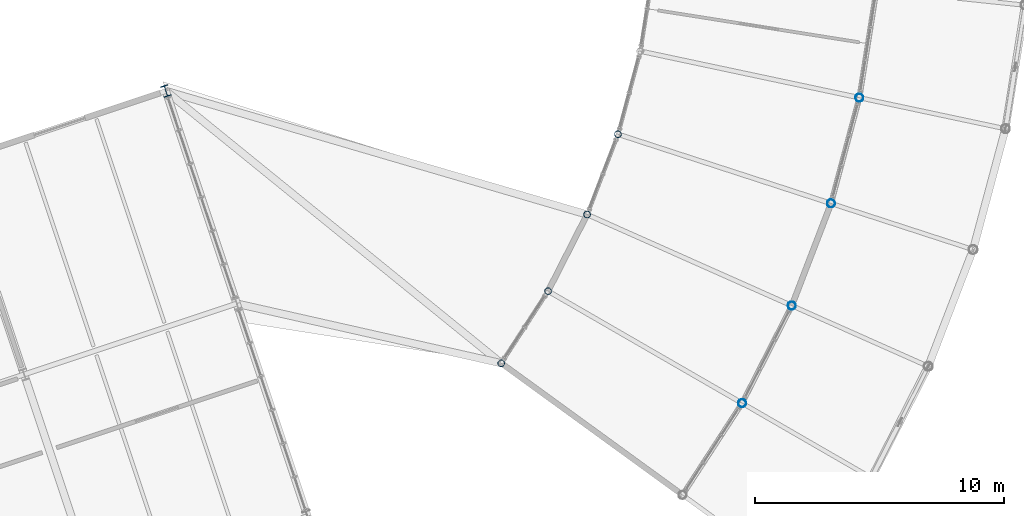
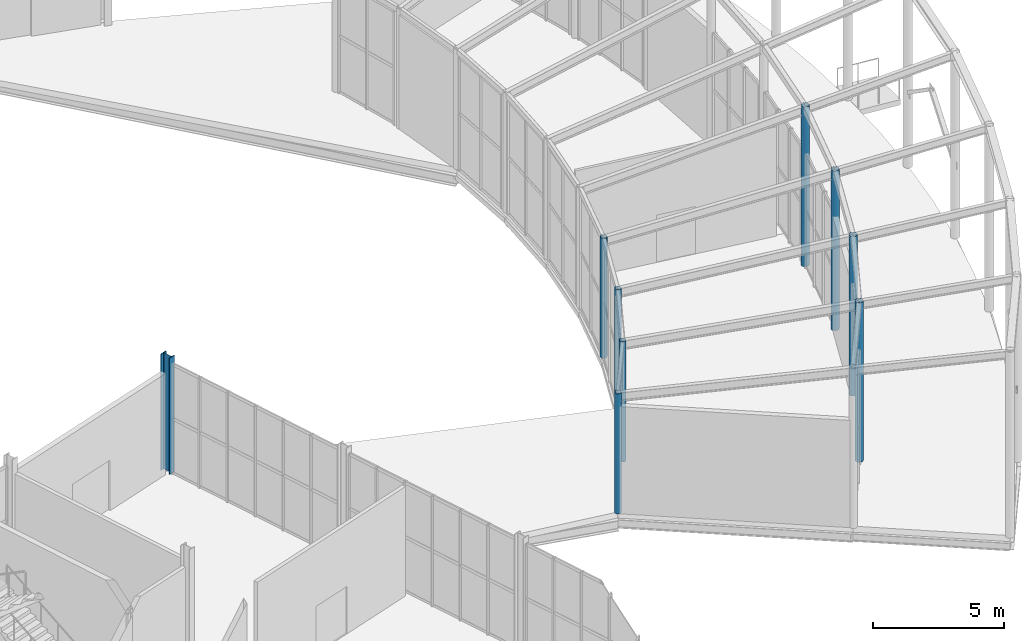
# One storey, part 24 of 158: 9 columns.
"""IFC4 building model written with IfcOpenShell, lengths in metres."""

from ifc_helpers import new_model, si_unit, derived_unit, direction, frame, origin, origin_2d, place, context, subcontext, project, spatial, hollow_circle, i_section, extrude, material, material_profile, profile_set, type_object, element, save


model = new_model("IFC4")

# Units and contexts
model_context = context("Model", 3, precision=1e-05, world=origin(), true_north=direction((0.0, 1.0)))
body_context = subcontext(model_context, "Body", "Model", "MODEL_VIEW")
ifc_project = project(units=[si_unit("LENGTHUNIT", "METRE"), si_unit("AREAUNIT", "SQUARE_METRE"), si_unit("VOLUMEUNIT", "CUBIC_METRE"), si_unit("PLANEANGLEUNIT", "RADIAN"), si_unit("MASSUNIT", "GRAM", prefix="KILO"), si_unit("THERMODYNAMICTEMPERATUREUNIT", "KELVIN"), si_unit("TIMEUNIT", "SECOND"), derived_unit("THERMALTRANSMITTANCEUNIT", [(si_unit("MASSUNIT", "GRAM", prefix="KILO"), 1), (si_unit("THERMODYNAMICTEMPERATUREUNIT", "KELVIN"), -1), (si_unit("TIMEUNIT", "SECOND"), -3)])], contexts=[model_context])

# Site, building, storey
site_placement = place(None, origin())
site = spatial("IfcSite", under=ifc_project, at=site_placement, CompositionType="ELEMENT")
building_placement = place(site_placement, origin())
building = spatial("IfcBuilding", under=site, at=building_placement, Name="Cambertide Market Hall", CompositionType="ELEMENT")
storey_placement = place(building_placement, origin())
storey = spatial("IfcBuildingStorey", under=building, at=storey_placement, Name="L01", CompositionType="ELEMENT", Elevation=0.0)

# Columns
ifc_material_1 = material(Name="Steel S355", Category="steel")
ifc_material_profile_1 = material_profile(ifc_material_1, hollow_circle(Radius=0.136474609375, WallThickness=0.010009765625, at=origin_2d()), Name="CHS 273x10")
ifc_profile_set_1 = profile_set([ifc_material_profile_1], Name="Steel S355")
column_type_1 = type_object("IfcColumnType", Name="Exterior Steel Column CHS 273x10", PredefinedType="COLUMN", material=ifc_profile_set_1)
for number, where, z_axis, x_axis, name in (
    (1, (170.697509765625, 46.60302734375, 0.0), (0.0, 0.0, 1.0), (0.809016994375, -0.587785252292, 0.0), "Level 1 Column COL-V5-IN00-L01"),
    (2, (172.578857421875, 49.5, 0.0), (0.0, 0.0, 1.0), (0.866025403784, -0.5, 0.0), "Level 1 Column COL-V5-IN02-L01"),
    (3, (174.14697265625, 52.57763671875, 0.0), (0.0, 0.0, 1.0), (0.913545457643, -0.406736643076, 0.0), "Level 1 Column COL-V5-IN04-L01"),
    (4, (175.384765625, 55.802490234375, 0.0), (0.0, 0.0, 1.0), (0.951056516295, -0.309016994375, 0.0), "Level 1 Column COL-V5-IN06-L01"),
):
    element("IfcColumn", number, at=place(storey_placement, frame(where, z_axis=z_axis, x_axis=x_axis)), inside=storey, type_object=column_type_1, Name=name, PredefinedType="COLUMN", context=body_context, shape_type="SweptSolid", body=[
        extrude(hollow_circle(Radius=0.136474609375, WallThickness=0.010009765625, at=origin_2d()), origin(), (0.0, 0.0, 1.0), 5.580078125),
    ])
ifc_material_2 = material(Name="Steel S355", Category="steel")
ifc_material_profile_2 = material_profile(ifc_material_2, hollow_circle(Radius=0.161865234375, WallThickness=0.010009765625, at=origin_2d()), Name="CHS 323.9x10")
ifc_profile_set_2 = profile_set([ifc_material_profile_2], Name="Steel S355")
column_type_2 = type_object("IfcColumnType", Name="Exterior Steel Column CHS 323.9x10", PredefinedType="COLUMN", material=ifc_profile_set_2)
for number, where, z_axis, x_axis, name in (
    (5, (180.373046875, 45.0, 0.0), (0.0, 0.0, 1.0), (0.866025403784, -0.5, 0.0), "Level 1 Column COL-V5-MID02-L01"),
    (6, (182.368896484375, 48.9169921875, 0.0), (0.0, 0.0, 1.0), (0.913545457643, -0.406736643076, 0.0), "Level 1 Column COL-V5-MID04-L01"),
    (7, (183.9443359375, 53.021240234375, 0.0), (0.0, 0.0, 1.0), (0.951056516295, -0.309016994375, 0.0), "Level 1 Column COL-V5-MID06-L01"),
    (8, (185.082275390625, 57.267822265625, 0.0), (0.0, 0.0, 1.0), (0.978147600734, -0.207911690818, 0.0), "Level 1 Column COL-V5-MID08-L01"),
):
    element("IfcColumn", number, at=place(storey_placement, frame(where, z_axis=z_axis, x_axis=x_axis)), inside=storey, type_object=column_type_2, Name=name, PredefinedType="COLUMN", context=body_context, shape_type="SweptSolid", body=[
        extrude(hollow_circle(Radius=0.161865234375, WallThickness=0.010009765625, at=origin_2d()), origin(), (0.0, 0.0, 1.0), 7.409912109375),
    ])
ifc_material_3 = material(Name="Steel S355", Category="steel")
ifc_material_profile_3 = material_profile(ifc_material_3, i_section(OverallWidth=0.300048828125, OverallDepth=0.449951171875, WebThickness=0.013916015625, FlangeThickness=0.02587890625, FilletRadius=0.027099609375, at=origin_2d()), Name="HEB 450")
ifc_profile_set_3 = profile_set([ifc_material_profile_3], Name="Steel S355")
column_type_3 = type_object("IfcColumnType", Name="Exterior Steel Column HEB 450", PredefinedType="COLUMN", material=ifc_profile_set_3)
column_placement = place(storey_placement, frame((157.22900390625, 57.536865234375, 0.0), z_axis=(0.0, 0.0, 1.0), x_axis=(0.94868329805, 0.316227766018, 0.0)))
element("IfcColumn", 9, at=column_placement, inside=storey, type_object=column_type_3, Name="Level 1 Column COL-V3-8-4-L01", PredefinedType="COLUMN", context=body_context, shape_type="SweptSolid", body=[
    extrude(i_section(OverallWidth=0.300048828125, OverallDepth=0.449951171875, WebThickness=0.013916015625, FlangeThickness=0.02587890625, FilletRadius=0.027099609375, at=origin_2d()), origin(), (0.0, 0.0, 1.0), 5.39990234375),
])

save(model, "model.ifc")
